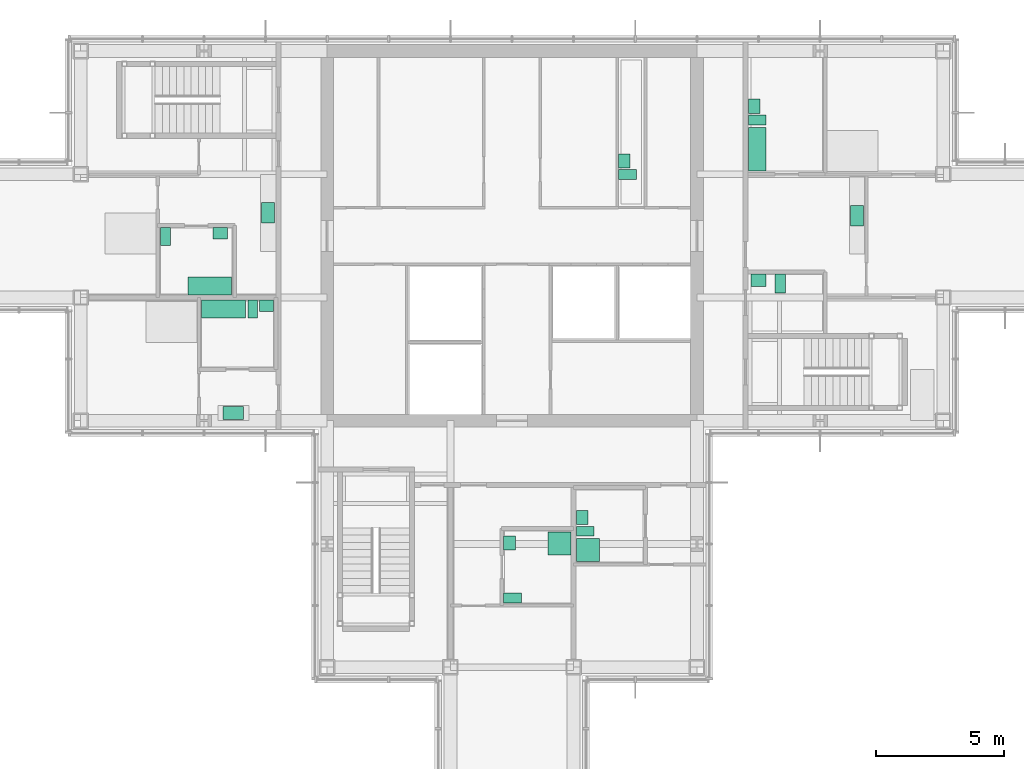
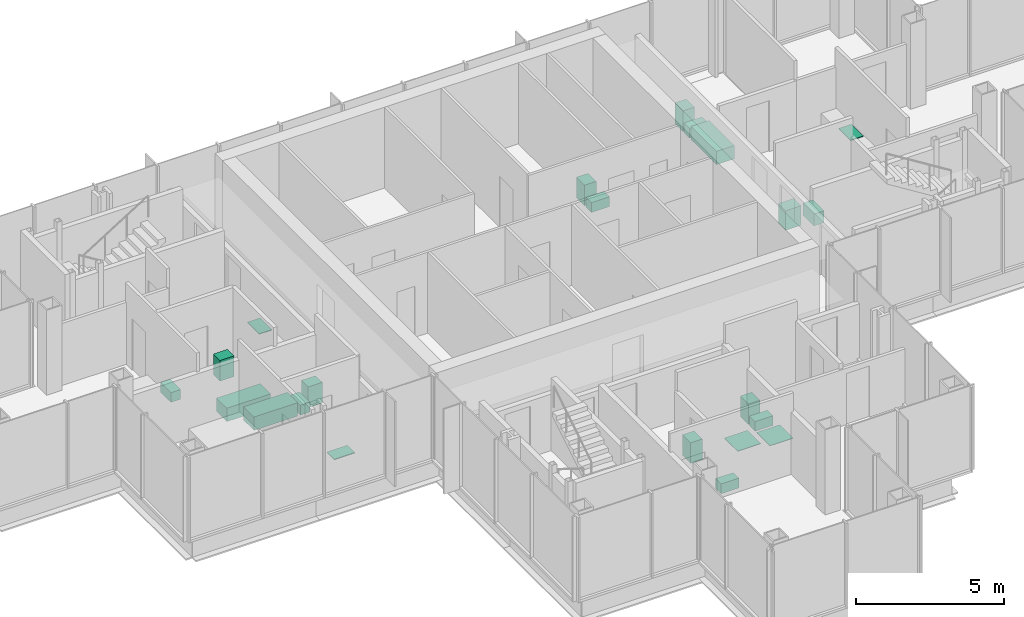
# One storey, part 14 of 15: 22 sanitary terminals.
"""IFC4 building model written with IfcOpenShell, lengths in metres."""

from ifc_helpers import new_model, si_unit, direction, frame, origin, origin_2d, place, context, subcontext, project, spatial, rectangle, extrude, material, type_object, element, save


model = new_model("IFC4")

# Units and contexts
model_context = context("Model", 3, precision=1e-05, world=origin(), true_north=direction((0.0, 1.0)))
body_context = subcontext(model_context, "Body", "Model", "MODEL_VIEW")
ifc_project = project(units=[si_unit("LENGTHUNIT", "METRE"), si_unit("AREAUNIT", "SQUARE_METRE"), si_unit("VOLUMEUNIT", "CUBIC_METRE"), si_unit("PLANEANGLEUNIT", "RADIAN"), si_unit("MASSUNIT", "GRAM", prefix="KILO")], contexts=[model_context])

# Site, building, storey
site_placement = place(None, origin())
site = spatial("IfcSite", under=ifc_project, at=site_placement, CompositionType="ELEMENT")
building_placement = place(site_placement, origin())
building = spatial("IfcBuilding", under=site, at=building_placement, Name="Kvirike Care Tower", CompositionType="ELEMENT")
storey_placement = place(building_placement, frame((0.0, 0.0, 212.0)))
storey = spatial("IfcBuildingStorey", under=building, at=storey_placement, Name="L58", CompositionType="ELEMENT", Elevation=212.0)

# Sanitary terminals
ifc_material_1 = material(Name="Vitreous china", Category="ceramic")
sanitary_terminal_type_1 = type_object("IfcSanitaryTerminalType", Name="ACCESSIBLE WASH BASIN 600 x 500", PredefinedType="WASHHANDBASIN", material=ifc_material_1)
sanitary_terminal_1_placement = place(storey_placement, frame((31.199951171875, 34.27294921875, 0.02001953125), z_axis=(0.0, 0.0, 1.0), x_axis=(1.0, 0.0, 0.0)))
element("IfcSanitaryTerminal", 1, at=sanitary_terminal_1_placement, inside=storey, type_object=sanitary_terminal_type_1, Name="Accessible wash basin L58-024", PredefinedType="WASHHANDBASIN", context=body_context, shape_type="SweptSolid", body=[
    extrude(rectangle(XDim=0.60009765625, YDim=0.5, at=origin_2d()), origin(), (0.0, 0.0, 1.0), 0.800048828125),
])
ifc_material_2 = material(Name="Vitreous china", Category="ceramic")
sanitary_terminal_type_2 = type_object("IfcSanitaryTerminalType", Name="ACCESSIBLE WC PAN 400 x 750", PredefinedType="TOILETPAN", material=ifc_material_2)
sanitary_terminal_2_placement = place(storey_placement, frame((32.050048828125, 34.14794921875, 0.02001953125), z_axis=(0.0, 0.0, 1.0), x_axis=(1.0, 0.0, 0.0)))
element("IfcSanitaryTerminal", 2, at=sanitary_terminal_2_placement, inside=storey, type_object=sanitary_terminal_type_2, Name="Accessible WC pan L58-024", PredefinedType="TOILETPAN", context=body_context, shape_type="SweptSolid", body=[
    extrude(rectangle(XDim=0.39990234375, YDim=0.75, at=origin_2d()), origin(), (0.0, 0.0, 1.0), 0.47998046875),
])
ifc_material_3 = material(Name="Enamelled steel", Category="steel")
sanitary_terminal_type_3 = type_object("IfcSanitaryTerminalType", Name="BATH 1700 x 700", PredefinedType="BATH", material=ifc_material_3)
for number, where, z_axis, x_axis, name in (
    (3, (9.824951171875, 34.052001953125, 0.02001953125), (0.0, 0.0, 1.0), (-1.0, 0.0, 0.0), "Bath L58-005"),
    (4, (10.360107421875, 33.14794921875, 0.02001953125), (0.0, 0.0, 1.0), (1.0, 0.0, 0.0), "Bath L58-008"),
    (5, (31.152099609375, 39.375, 0.02001953125), (0.0, 0.0, 1.0), (0.0, 1.0, 0.0), "Bath L58-025"),
):
    element("IfcSanitaryTerminal", number, at=place(storey_placement, frame(where, z_axis=z_axis, x_axis=x_axis)), inside=storey, type_object=sanitary_terminal_type_3, Name=name, PredefinedType="BATH", context=body_context, shape_type="SweptSolid", body=[
        extrude(rectangle(XDim=1.699951171875, YDim=0.699951171875, at=origin_2d()), origin(), (0.0, 0.0, 1.0), 0.550048828125),
    ])
ifc_material_4 = material(Name="Stainless steel", Category="steel")
sanitary_terminal_type_4 = type_object("IfcSanitaryTerminalType", Name="KITCHEN SINK 800 x 500", PredefinedType="SINK", material=ifc_material_4)
for number, where, z_axis, x_axis, name in (
    (6, (12.097900390625, 36.89990234375, 0.89990234375), (0.0, 0.0, 1.0), (0.0, -1.0, 0.0), "Kitchen sink L58-006"),
    (7, (10.75, 29.10205078125, 0.89990234375), (0.0, 0.0, 1.0), (-1.0, 0.0, 0.0), "Kitchen sink L58-009"),
    (8, (35.0380859375, 36.7900390625, 0.89990234375), (0.0, 0.0, 1.0), (0.0, -1.0, 0.0), "Kitchen sink L58-026"),
):
    element("IfcSanitaryTerminal", number, at=place(storey_placement, frame(where, z_axis=z_axis, x_axis=x_axis)), inside=storey, type_object=sanitary_terminal_type_4, Name=name, PredefinedType="SINK", context=body_context, shape_type="SweptSolid", body=[
        extrude(rectangle(XDim=0.800048828125, YDim=0.5, at=origin_2d()), origin(), (0.0, 0.0, 1.0), 0.030029296875),
    ])
ifc_material_5 = material(Name="Stainless steel", Category="steel")
sanitary_terminal_type_5 = type_object("IfcSanitaryTerminalType", Name="LEVEL-ACCESS SHOWER 900 x 900", PredefinedType="SHOWER", material=ifc_material_5)
for number, where, z_axis, x_axis, name in (
    (9, (23.447998046875, 24.02490234375, 0.02001953125), (0.0, 0.0, 1.0), (0.0, -1.0, 0.0), "Level-access shower L58-014"),
    (10, (24.552001953125, 23.760009765625, 0.02001953125), (0.0, 0.0, 1.0), (0.0, 1.0, 0.0), "Level-access shower L58-017"),
):
    element("IfcSanitaryTerminal", number, at=place(storey_placement, frame(where, z_axis=z_axis, x_axis=x_axis)), inside=storey, type_object=sanitary_terminal_type_5, Name=name, PredefinedType="SHOWER", context=body_context, shape_type="SweptSolid", body=[
        extrude(rectangle(XDim=0.89990234375, YDim=0.89990234375, at=origin_2d()), origin(), (0.0, 0.0, 1.0), 0.02001953125),
    ])
ifc_material_6 = material(Name="Vitreous china", Category="ceramic")
sanitary_terminal_type_6 = type_object("IfcSanitaryTerminalType", Name="WASH BASIN 550 x 450", PredefinedType="WASHHANDBASIN", material=ifc_material_6)
for number, where, z_axis, x_axis, name in (
    (11, (10.235107421875, 36.097900390625, 0.02001953125), (0.0, 0.0, 1.0), (1.0, 0.0, 0.0), "Wash basin L58-005"),
    (12, (12.034912109375, 33.27294921875, 0.02001953125), (0.0, 0.0, 1.0), (1.0, 0.0, 0.0), "Wash basin L58-008"),
    (13, (21.501953125, 24.034912109375, 0.02001953125), (0.0, 0.0, 1.0), (0.0, 1.0, 0.0), "Wash basin L58-014"),
    (14, (24.326904296875, 25.034912109375, 0.02001953125), (0.0, 0.0, 1.0), (0.0, 1.0, 0.0), "Wash basin L58-017"),
    (15, (31.027099609375, 41.050048828125, 0.02001953125), (0.0, 0.0, 1.0), (0.0, 1.0, 0.0), "Wash basin L58-025"),
    (16, (25.97705078125, 38.925048828125, 0.02001953125), (0.0, 0.0, 1.0), (0.0, 1.0, 0.0), "Wash basin L58-033"),
):
    element("IfcSanitaryTerminal", number, at=place(storey_placement, frame(where, z_axis=z_axis, x_axis=x_axis)), inside=storey, type_object=sanitary_terminal_type_6, Name=name, PredefinedType="WASHHANDBASIN", context=body_context, shape_type="SweptSolid", body=[
        extrude(rectangle(XDim=0.550048828125, YDim=0.449951171875, at=origin_2d()), origin(), (0.0, 0.0, 1.0), 0.85009765625),
    ])
ifc_material_7 = material(Name="Vitreous china", Category="ceramic")
sanitary_terminal_type_7 = type_object("IfcSanitaryTerminalType", Name="WC PAN 380 x 700", PredefinedType="TOILETPAN", material=ifc_material_7)
for number, where, z_axis, x_axis, name in (
    (17, (8.10009765625, 35.972900390625, 0.02001953125), (0.0, 0.0, 1.0), (1.0, 0.0, 0.0), "WC pan L58-005"),
    (18, (11.5, 33.14794921875, 0.02001953125), (0.0, 0.0, 1.0), (1.0, 0.0, 0.0), "WC pan L58-008"),
    (19, (21.626953125, 21.89990234375, 0.02001953125), (0.0, 0.0, 1.0), (0.0, 1.0, 0.0), "WC pan L58-014"),
    (20, (24.451904296875, 24.5, 0.02001953125), (0.0, 0.0, 1.0), (0.0, 1.0, 0.0), "WC pan L58-017"),
    (21, (31.152099609375, 40.514892578125, 0.02001953125), (0.0, 0.0, 1.0), (0.0, 1.0, 0.0), "WC pan L58-025"),
    (22, (26.10205078125, 38.389892578125, 0.02001953125), (0.0, 0.0, 1.0), (0.0, 1.0, 0.0), "WC pan L58-033"),
):
    element("IfcSanitaryTerminal", number, at=place(storey_placement, frame(where, z_axis=z_axis, x_axis=x_axis)), inside=storey, type_object=sanitary_terminal_type_7, Name=name, PredefinedType="TOILETPAN", context=body_context, shape_type="SweptSolid", body=[
        extrude(rectangle(XDim=0.3798828125, YDim=0.699951171875, at=origin_2d()), origin(), (0.0, 0.0, 1.0), 0.39990234375),
    ])

save(model, "model.ifc")
